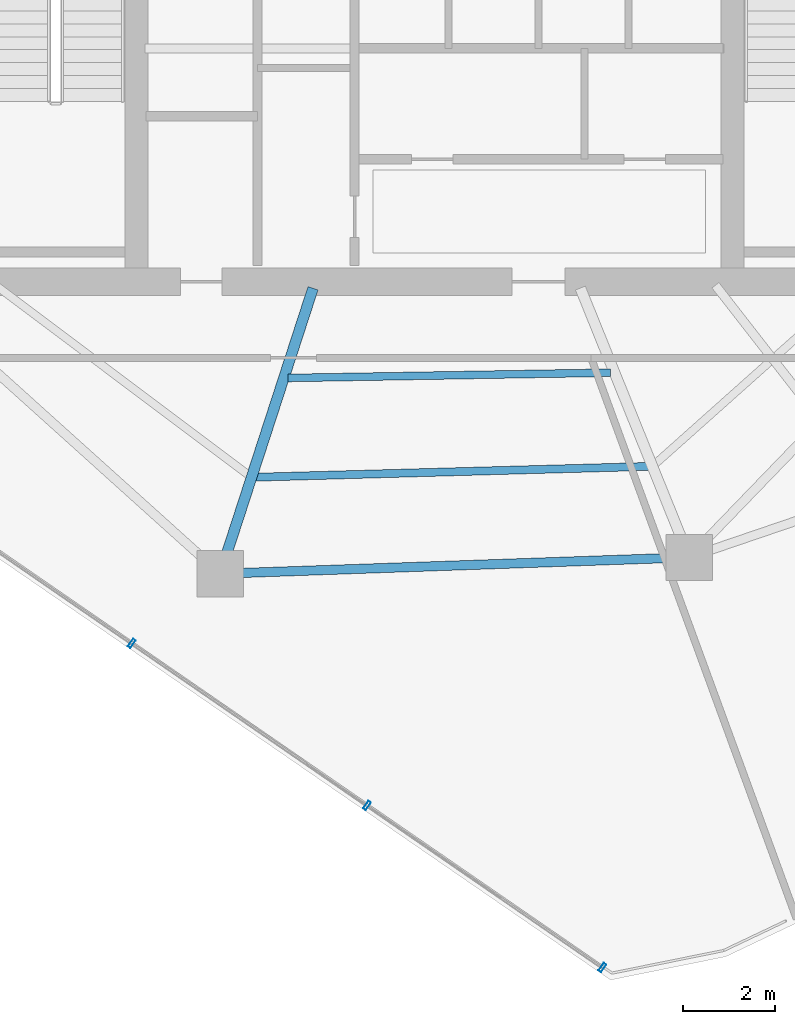
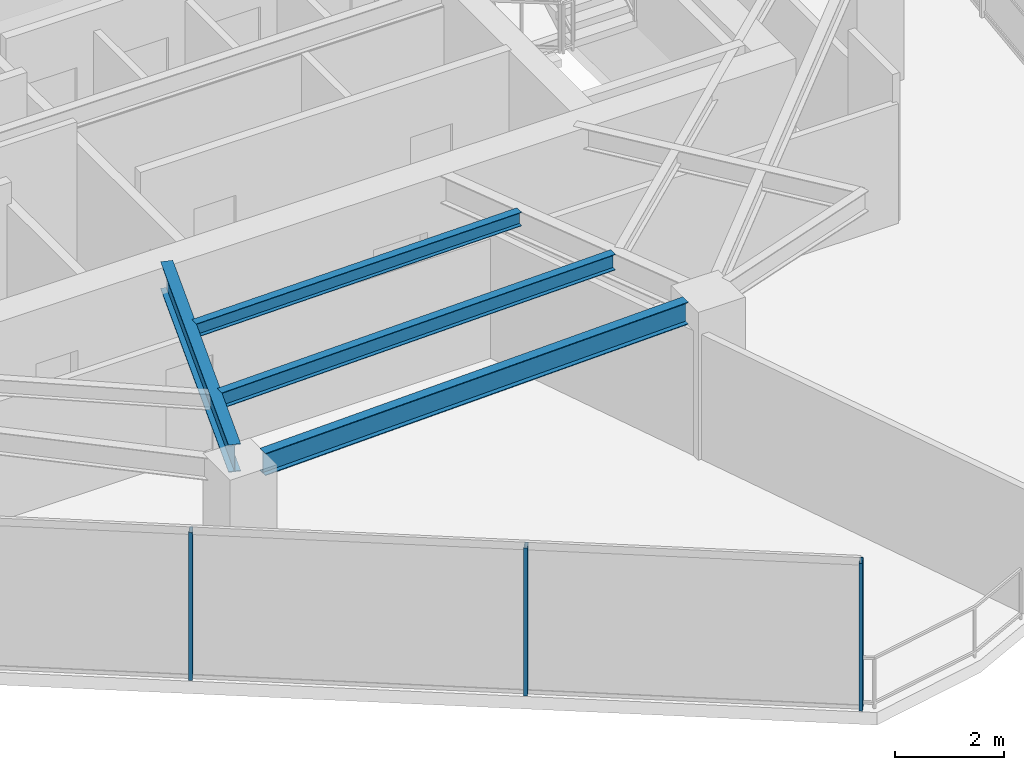
# One storey, part 4 of 21: 4 beams, 3 members, 1 element without a shape of its own.
"""IFC4 building model written with IfcOpenShell, lengths in metres."""

from ifc_helpers import new_model, si_unit, direction, frame, origin, origin_2d, place, context, subcontext, project, spatial, hollow_rectangle, i_section, extrude, material, layer, layer_set, material_profile, profile_set, type_object, element, aggregate, save


model = new_model("IFC4")

# Units and contexts
model_context = context("Model", 3, precision=1e-05, world=origin(), true_north=direction((0.0, 1.0)))
body_context = subcontext(model_context, "Body", "Model", "MODEL_VIEW")
ifc_project = project(units=[si_unit("LENGTHUNIT", "METRE"), si_unit("AREAUNIT", "SQUARE_METRE"), si_unit("VOLUMEUNIT", "CUBIC_METRE"), si_unit("PLANEANGLEUNIT", "RADIAN"), si_unit("MASSUNIT", "GRAM", prefix="KILO")], contexts=[model_context])

# Site, building, storey
site_placement = place(None, origin())
site = spatial("IfcSite", under=ifc_project, at=site_placement, CompositionType="ELEMENT")
building_placement = place(site_placement, origin())
building = spatial("IfcBuilding", under=site, at=building_placement, Name="Qarnah Convention Tower", CompositionType="ELEMENT")
storey_placement = place(building_placement, frame((0.0, 0.0, 161.699951171875)))
storey = spatial("IfcBuildingStorey", under=building, at=storey_placement, Name="L43", CompositionType="ELEMENT", Elevation=161.699951171875)

# Beams
ifc_material_1 = material(Name="Structural steel S355JR", Category="steel")
ifc_material_profile_1 = material_profile(ifc_material_1, i_section(OverallWidth=0.166015625, OverallDepth=0.31201171875, WebThickness=0.007080078125, FlangeThickness=0.010986328125, at=origin_2d()), Name="W310X45")
ifc_profile_set_1 = profile_set([ifc_material_profile_1], Name="Structural steel S355JR")
beam_type_1 = type_object("IfcBeamType", Name="BM-JST-W310", PredefinedType="JOIST", material=ifc_profile_set_1)
beam_1_placement = place(storey_placement, frame((34.077880859375, 16.513916015625, 3.1640625), z_axis=(0.999864288508, 0.016474360872, 0.0), x_axis=(-0.016474360872, 0.999864288508, 0.0)))
element("IfcBeam", 1, at=beam_1_placement, inside=storey, type_object=beam_type_1, Name="L43 joist BM-L43-IJST-07", PredefinedType="JOIST", context=body_context, shape_type="SweptSolid", body=[
    extrude(i_section(OverallWidth=0.166015625, OverallDepth=0.31201171875, WebThickness=0.007080078125, FlangeThickness=0.010986328125, at=origin_2d()), origin(), (0.0, 0.0, 1.0), 6.97998046875),
])
ifc_material_profile_2 = material_profile(ifc_material_1, i_section(OverallWidth=0.172119140625, OverallDepth=0.35595703125, WebThickness=0.007080078125, FlangeThickness=0.011962890625, at=origin_2d()), Name="W360X51")
ifc_profile_set_2 = profile_set([ifc_material_profile_2], Name="Structural steel S355JR")
beam_type_2 = type_object("IfcBeamType", Name="BM-JST-W360", PredefinedType="JOIST", material=ifc_profile_set_2)
beam_2_placement = place(storey_placement, frame((33.37890625, 14.365966796875, 3.14208984375), z_axis=(0.999623839225, 0.027425901128, 0.0), x_axis=(-0.027425901128, 0.999623839225, 0.0)))
element("IfcBeam", 2, at=beam_2_placement, inside=storey, type_object=beam_type_2, Name="L43 joist BM-L43-SJST-07", PredefinedType="JOIST", context=body_context, shape_type="SweptSolid", body=[
    extrude(i_section(OverallWidth=0.172119140625, OverallDepth=0.35595703125, WebThickness=0.007080078125, FlangeThickness=0.011962890625, at=origin_2d()), origin(), (0.0, 0.0, 1.0), 8.501220703125),
])
ifc_material_profile_3 = material_profile(ifc_material_1, i_section(OverallWidth=0.22998046875, OverallDepth=0.617919921875, WebThickness=0.012939453125, FlangeThickness=0.02197265625, at=origin_2d()), Name="W610X140")
ifc_profile_set_3 = profile_set([ifc_material_profile_3], Name="Structural steel S355JR")
beam_type_3 = type_object("IfcBeamType", Name="BM-RAD-W610A", PredefinedType="BEAM", material=ifc_profile_set_3)
beam_3_placement = place(storey_placement, frame((34.6201171875, 18.45703125, 3.010986328125), z_axis=(-0.30919796314, -0.950997696942, 0.0), x_axis=(0.950997696942, -0.30919796314, 0.0)))
element("IfcBeam", 3, at=beam_3_placement, inside=storey, type_object=beam_type_3, Name="L43 beam BM-L43-RAD-07", PredefinedType="BEAM", context=body_context, shape_type="SweptSolid", body=[
    extrude(i_section(OverallWidth=0.22998046875, OverallDepth=0.617919921875, WebThickness=0.012939453125, FlangeThickness=0.02197265625, at=origin_2d()), origin(), (0.0, 0.0, 1.0), 6.01904296875),
])
ifc_material_profile_4 = material_profile(ifc_material_1, i_section(OverallWidth=0.199951171875, OverallDepth=0.5, WebThickness=0.010009765625, FlangeThickness=0.01611328125, at=origin_2d()), Name="IPE500")
ifc_profile_set_4 = profile_set([ifc_material_profile_4], Name="Structural steel S355JR")
beam_type_4 = type_object("IfcBeamType", Name="BM-SPN-IPE500", PredefinedType="SPANDREL", material=ifc_profile_set_4)
beam_4_placement = place(storey_placement, frame((33.10107421875, 12.2939453125, 3.070068359375), z_axis=(0.999391665003, 0.034875491717, 0.0), x_axis=(-0.034875491717, 0.999391665003, 0.0)))
element("IfcBeam", 4, at=beam_4_placement, inside=storey, type_object=beam_type_4, Name="L43 spandrel BM-L43-SPN-07", PredefinedType="SPANDREL", context=body_context, shape_type="SweptSolid", body=[
    extrude(i_section(OverallWidth=0.199951171875, OverallDepth=0.5, WebThickness=0.010009765625, FlangeThickness=0.01611328125, at=origin_2d()), origin(), (0.0, 0.0, 1.0), 9.177490234375),
])

# Curtain wall, members
ifc_material_2 = material(Name="Tempered Low-E dark glass", Category="glass")
ifc_layer = layer(ifc_material_2, 0.172119140625)
ifc_layer_set = layer_set([ifc_layer], Name="Tempered Low-E dark glass")
curtain_wall_type = type_object("IfcCurtainWallType", Name="CWS-03", PredefinedType="NOTDEFINED", material=ifc_layer_set)
curtain_wall_placement = place(storey_placement, origin())
curtain_wall = element("IfcCurtainWall", 5, at=curtain_wall_placement, inside=storey, type_object=curtain_wall_type, Name="L43 unitised curtain wall CW-L43-F3", PredefinedType="NOTDEFINED")
ifc_material_3 = material(Name="Black anodised aluminium", Category="aluminium")
ifc_material_profile_5 = material_profile(ifc_material_3, hollow_rectangle(XDim=0.070068359375, YDim=0.199951171875, WallThickness=0.0048828125, at=origin_2d()), Name="MUL-70X200")
ifc_profile_set_5 = profile_set([ifc_material_profile_5], Name="Black anodised aluminium")
member_type = type_object("IfcMemberType", Name="MUL-T3", PredefinedType="MULLION", material=ifc_profile_set_5)
member_1_placement = place(storey_placement, frame((40.883056640625, 3.7509765625, 0.0), z_axis=(0.0, 0.0, 1.0), x_axis=(-0.823532102593, 0.567269667794, 0.0)))
member_1 = element("IfcMember", 6, at=member_1_placement, type_object=member_type, Name="CW-L43-F3 mullion 1", PredefinedType="MULLION", context=body_context, shape_type="SweptSolid", body=[
    extrude(hollow_rectangle(XDim=0.070068359375, YDim=0.199951171875, WallThickness=0.0048828125, at=origin_2d()), origin(), (0.0, 0.0, 1.0), 3.320068359375),
])
member_2_placement = place(storey_placement, frame((35.789306640625, 7.259521484375, 0.0), z_axis=(0.0, 0.0, 1.0), x_axis=(-0.823532102593, 0.567269667794, 0.0)))
member_2 = element("IfcMember", 7, at=member_2_placement, type_object=member_type, Name="CW-L43-F3 mullion 2", PredefinedType="MULLION", context=body_context, shape_type="SweptSolid", body=[
    extrude(hollow_rectangle(XDim=0.070068359375, YDim=0.199951171875, WallThickness=0.0048828125, at=origin_2d()), origin(), (0.0, 0.0, 1.0), 3.320068359375),
])
member_3_placement = place(storey_placement, frame((30.69580078125, 10.768310546875, 0.0), z_axis=(0.0, 0.0, 1.0), x_axis=(-0.823532102593, 0.567269667794, 0.0)))
member_3 = element("IfcMember", 8, at=member_3_placement, type_object=member_type, Name="CW-L43-F3 mullion 3", PredefinedType="MULLION", context=body_context, shape_type="SweptSolid", body=[
    extrude(hollow_rectangle(XDim=0.070068359375, YDim=0.199951171875, WallThickness=0.0048828125, at=origin_2d()), origin(), (0.0, 0.0, 1.0), 3.320068359375),
])
aggregate(curtain_wall, [member_1, member_2, member_3])

save(model, "model.ifc")
